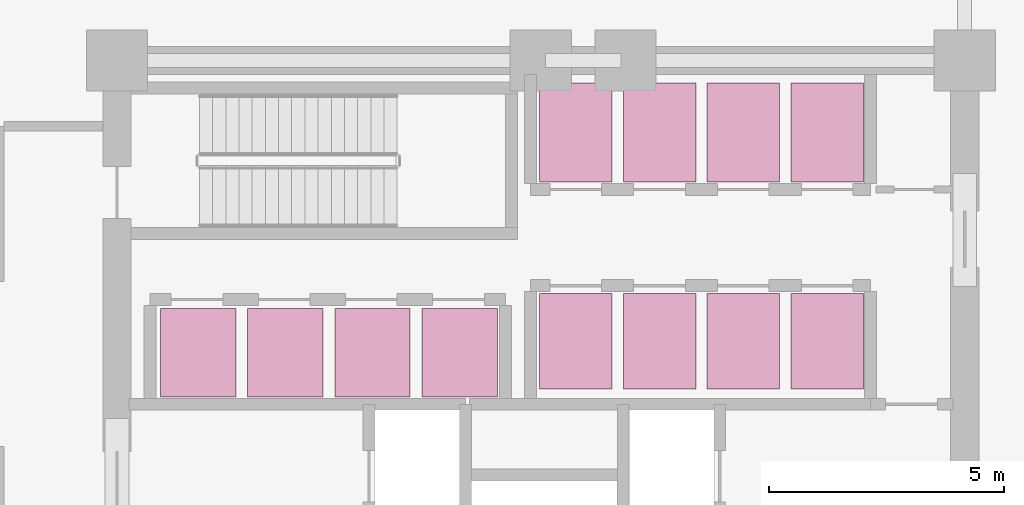
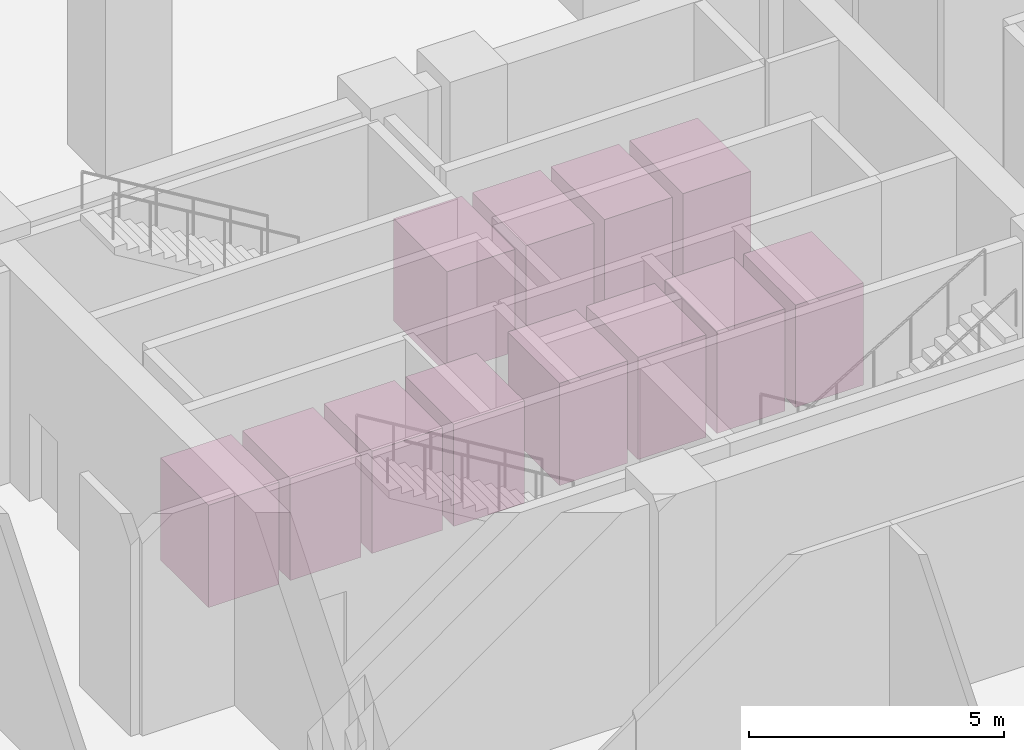
# One storey, part 22 of 22: 12 transport elements.
"""IFC4 building model written with IfcOpenShell, lengths in metres."""

from ifc_helpers import new_model, si_unit, direction, frame, origin, origin_2d, place, context, subcontext, project, spatial, rectangle, extrude, material, type_object, element, save


model = new_model("IFC4")

# Units and contexts
model_context = context("Model", 3, precision=1e-05, world=origin(), true_north=direction((0.0, 1.0)))
body_context = subcontext(model_context, "Body", "Model", "MODEL_VIEW")
ifc_project = project(units=[si_unit("LENGTHUNIT", "METRE"), si_unit("AREAUNIT", "SQUARE_METRE"), si_unit("VOLUMEUNIT", "CUBIC_METRE"), si_unit("PLANEANGLEUNIT", "RADIAN"), si_unit("MASSUNIT", "GRAM", prefix="KILO")], contexts=[model_context])

# Site, building, storey
site_placement = place(None, origin())
site = spatial("IfcSite", under=ifc_project, at=site_placement, CompositionType="ELEMENT")
building_placement = place(site_placement, origin())
building = spatial("IfcBuilding", under=site, at=building_placement, Name="Solnavia Interchange Tower", CompositionType="ELEMENT")
storey_placement = place(building_placement, origin())
storey = spatial("IfcBuildingStorey", under=building, at=storey_placement, Name="L00", CompositionType="ELEMENT", Elevation=0.0)

# Transport elements
ifc_material = material(Name="Brushed Stainless Steel Lift Car", Category="steel")
transport_element_type = type_object("IfcTransportElementType", Name="Lift-Passenger-1600x2100", PredefinedType="ELEVATOR", material=ifc_material)
for number, where, z_axis, x_axis, name in (
    (1, (16.125, 18.989990234375, 0.0), (0.0, 0.0, 1.0), (1.0, 0.0, 0.0), "LFT-01 Low-rise Bank 1 passenger lift 1"),
    (2, (17.97509765625, 18.989990234375, 0.0), (0.0, 0.0, 1.0), (1.0, 0.0, 0.0), "LFT-02 Low-rise Bank 1 passenger lift 2"),
    (3, (19.824951171875, 18.989990234375, 0.0), (0.0, 0.0, 1.0), (1.0, 0.0, 0.0), "LFT-03 Low-rise Bank 1 passenger lift 3"),
    (4, (21.675048828125, 18.989990234375, 0.0), (0.0, 0.0, 1.0), (1.0, 0.0, 0.0), "LFT-04 Low-rise Bank 1 passenger lift 4"),
):
    element("IfcTransportElement", number, at=place(storey_placement, frame(where, z_axis=z_axis, x_axis=x_axis)), inside=storey, type_object=transport_element_type, Name=name, PredefinedType="ELEVATOR", context=body_context, shape_type="SweptSolid", body=[
        extrude(rectangle(XDim=1.60009765625, YDim=1.8798828125, at=origin_2d()), origin(), (0.0, 0.0, 1.0), 2.449951171875),
    ])
for number, where, z_axis, x_axis, name in (
    (5, (24.139892578125, 19.235107421875, 0.0), (0.0, 0.0, 1.0), (1.0, 0.0, 0.0), "LFT-05 Mid-rise Bank 2 passenger lift 5"),
    (6, (25.919921875, 19.235107421875, 0.0), (0.0, 0.0, 1.0), (1.0, 0.0, 0.0), "LFT-06 Mid-rise Bank 2 passenger lift 6"),
    (7, (27.699951171875, 19.235107421875, 0.0), (0.0, 0.0, 1.0), (1.0, 0.0, 0.0), "LFT-07 Mid-rise Bank 2 passenger lift 7"),
    (8, (29.47998046875, 19.235107421875, 0.0), (0.0, 0.0, 1.0), (1.0, 0.0, 0.0), "LFT-08 Mid-rise Bank 2 passenger lift 8"),
):
    element("IfcTransportElement", number, at=place(storey_placement, frame(where, z_axis=z_axis, x_axis=x_axis)), inside=storey, type_object=transport_element_type, Name=name, PredefinedType="ELEVATOR", context=body_context, shape_type="SweptSolid", body=[
        extrude(rectangle(XDim=1.5400390625, YDim=2.030029296875, at=origin_2d()), origin(), (0.0, 0.0, 1.0), 2.449951171875),
    ])
for number, where, z_axis, x_axis, name in (
    (9, (24.139892578125, 23.675048828125, 0.0), (0.0, 0.0, 1.0), (1.0, 0.0, 0.0), "LFT-09 High-rise Bank 3 passenger lift 9"),
    (10, (25.919921875, 23.675048828125, 0.0), (0.0, 0.0, 1.0), (1.0, 0.0, 0.0), "LFT-10 High-rise Bank 3 passenger lift 10"),
    (11, (27.699951171875, 23.675048828125, 0.0), (0.0, 0.0, 1.0), (1.0, 0.0, 0.0), "LFT-11 High-rise Bank 3 service & goods lift 11"),
    (12, (29.47998046875, 23.675048828125, 0.0), (0.0, 0.0, 1.0), (1.0, 0.0, 0.0), "LFT-12 High-rise Bank 3 service & goods lift 12"),
):
    element("IfcTransportElement", number, at=place(storey_placement, frame(where, z_axis=z_axis, x_axis=x_axis)), inside=storey, type_object=transport_element_type, Name=name, PredefinedType="ELEVATOR", context=body_context, shape_type="SweptSolid", body=[
        extrude(rectangle(XDim=1.5400390625, YDim=2.10009765625, at=origin_2d()), origin(), (0.0, 0.0, 1.0), 2.449951171875),
    ])

save(model, "model.ifc")
